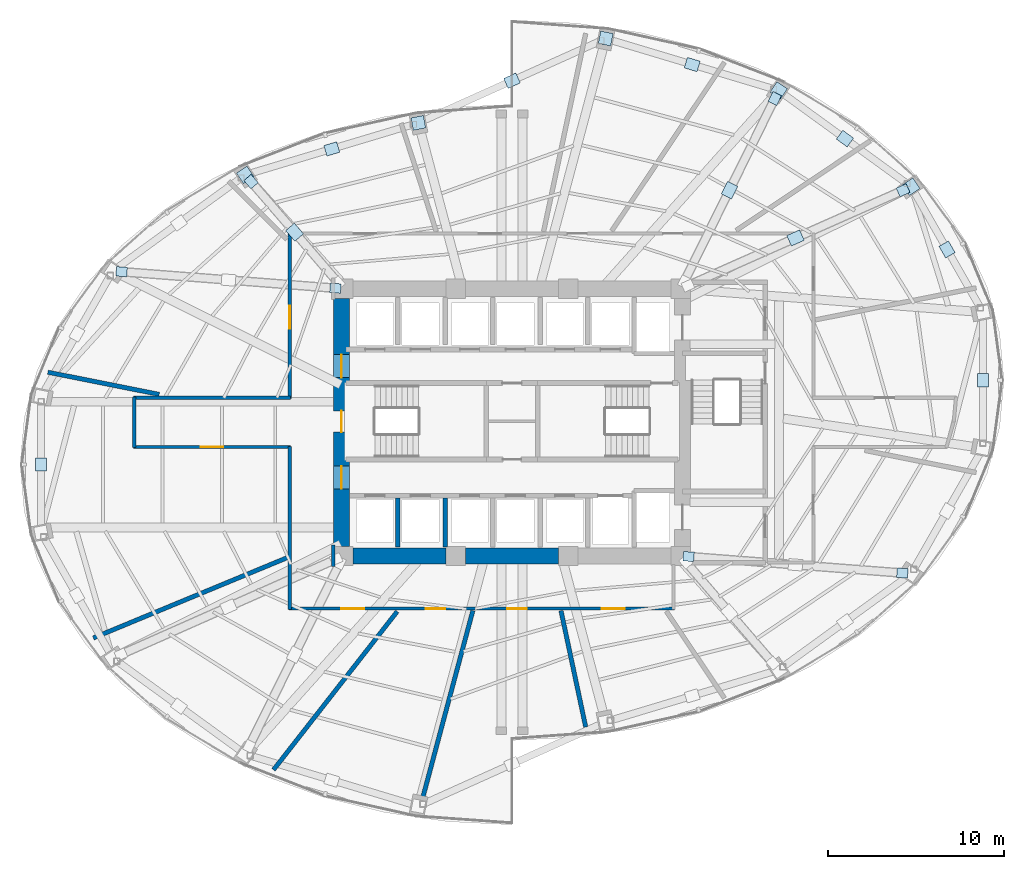
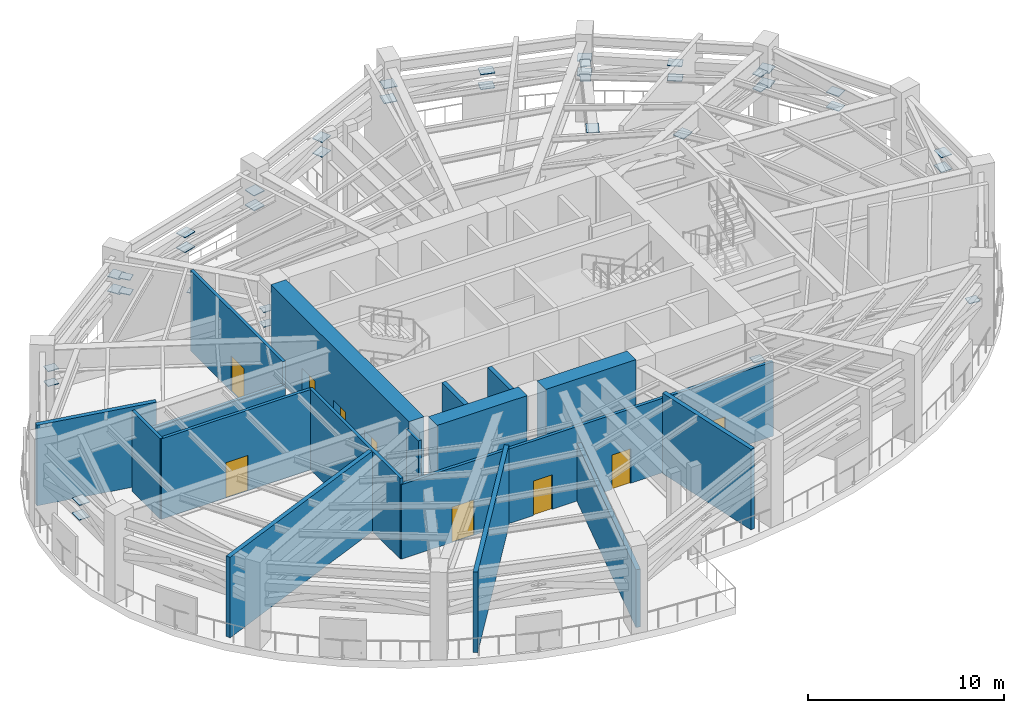
# One storey, part 8 of 14: 39 plates, 17 walls, 9 doors, 9 openings.
"""IFC4 building model written with IfcOpenShell, lengths in metres."""

from ifc_helpers import new_model, si_unit, direction, frame, frame_2d, origin, origin_2d, place, context, subcontext, project, spatial, rectangle, extrude, material, layer, layer_set, type_object, element, fill, save


model = new_model("IFC4")

# Units and contexts
model_context = context("Model", 3, precision=1e-05, world=origin(), true_north=direction((0.0, 1.0)))
body_context = subcontext(model_context, "Body", "Model", "MODEL_VIEW")
ifc_project = project(units=[si_unit("LENGTHUNIT", "METRE"), si_unit("AREAUNIT", "SQUARE_METRE"), si_unit("VOLUMEUNIT", "CUBIC_METRE"), si_unit("PLANEANGLEUNIT", "RADIAN"), si_unit("MASSUNIT", "GRAM", prefix="KILO")], contexts=[model_context])

# Site, building, storey
site_placement = place(None, origin())
site = spatial("IfcSite", under=ifc_project, at=site_placement, CompositionType="ELEMENT")
building_placement = place(site_placement, origin())
building = spatial("IfcBuilding", under=site, at=building_placement, Name="Lazwardi Medical Tower", CompositionType="ELEMENT")
storey_placement = place(building_placement, frame((0.0, 0.0, 76.27197265625)))
storey = spatial("IfcBuildingStorey", under=building, at=storey_placement, Name="L19", CompositionType="ELEMENT", Elevation=76.27197265625)

# Plates
ifc_material_1 = material(Name="Steel S460", Category="steel")
ifc_layer_1 = layer(ifc_material_1, 0.0400390625)
ifc_layer_set_1 = layer_set([ifc_layer_1], Name="Steel S460")
plate_type = type_object("IfcPlateType", Name="PLT-GUS-01", PredefinedType="USERDEFINED", material=ifc_layer_set_1)
for number, where, z_axis, x_axis, name in (
    (1, (62.800048828125, 30.39990234375, 3.580078125), (0.0, 0.0, 1.0), (0.0, 1.0, 0.0), "Belt truss gusset plate GP-01 T04 L19"),
    (2, (62.800048828125, 30.39990234375, 2.659912109375), (0.0, 0.0, 1.0), (0.0, 1.0, 0.0), "Belt truss gusset plate GP-01 B04 L19"),
    (3, (60.760009765625, 37.8408203125, 3.580078125), (0.0, 0.0, 1.0), (-0.495761847839, 0.86845851382, 0.0), "Belt truss gusset plate GP-01 T05 L19"),
    (4, (60.760009765625, 37.8408203125, 2.659912109375), (0.0, 0.0, 1.0), (-0.495761847839, 0.86845851382, 0.0), "Belt truss gusset plate GP-01 B05 L19"),
):
    element("IfcPlate", number, at=place(storey_placement, frame(where, z_axis=z_axis, x_axis=x_axis)), inside=storey, type_object=plate_type, Name=name, ObjectType="GUSSET_PLATE", PredefinedType="USERDEFINED", context=body_context, shape_type="SweptSolid", body=[
        extrude(rectangle(XDim=0.760009765625, YDim=0.6201171875, at=origin_2d()), origin(), (0.0, 0.0, 1.0), 0.0400390625),
    ])
for number, where, z_axis, x_axis, name in (
    (5, (58.719970703125, 41.414306640625, 2.659912109375), (0.0, 0.0, 1.0), (0.831469612303, 0.55557023302, 0.0), "Belt truss column gusset plate GP-01 MB06 L19"),
    (6, (58.719970703125, 41.414306640625, 3.580078125), (0.0, 0.0, 1.0), (0.831469612303, 0.55557023302, 0.0), "Belt truss column gusset plate GP-01 MT06 L19"),
):
    element("IfcPlate", number, at=place(storey_placement, frame(where, z_axis=z_axis, x_axis=x_axis)), inside=storey, type_object=plate_type, Name=name, ObjectType="GUSSET_PLATE", PredefinedType="USERDEFINED", context=body_context, shape_type="SweptSolid", body=[
        extrude(rectangle(XDim=0.719970703125, YDim=0.719970703125, at=origin_2d()), origin(), (0.0, 0.0, 1.0), 0.0400390625),
    ])
for number, where, z_axis, x_axis, name in (
    (7, (54.950439453125, 44.149169921875, 3.580078125), (0.0, 0.0, 1.0), (-0.809427148707, 0.587220308688, 0.0), "Belt truss gusset plate GP-01 T06 L19"),
    (8, (54.950439453125, 44.149169921875, 2.659912109375), (0.0, 0.0, 1.0), (-0.809427148707, 0.587220308688, 0.0), "Belt truss gusset plate GP-01 B06 L19"),
):
    element("IfcPlate", number, at=place(storey_placement, frame(where, z_axis=z_axis, x_axis=x_axis)), inside=storey, type_object=plate_type, Name=name, ObjectType="GUSSET_PLATE", PredefinedType="USERDEFINED", context=body_context, shape_type="SweptSolid", body=[
        extrude(rectangle(XDim=0.760009765625, YDim=0.6201171875, at=origin_2d()), origin(), (0.0, 0.0, 1.0), 0.0400390625),
    ])
for number, where, z_axis, x_axis, name in (
    (9, (51.180908203125, 46.8837890625, 2.659912109375), (0.0, 0.0, 1.0), (0.55557023302, 0.831469612303, 0.0), "Belt truss column gusset plate GP-01 MB07 L19"),
    (10, (51.180908203125, 46.8837890625, 3.580078125), (0.0, 0.0, 1.0), (0.55557023302, 0.831469612303, 0.0), "Belt truss column gusset plate GP-01 MT07 L19"),
):
    element("IfcPlate", number, at=place(storey_placement, frame(where, z_axis=z_axis, x_axis=x_axis)), inside=storey, type_object=plate_type, Name=name, ObjectType="GUSSET_PLATE", PredefinedType="USERDEFINED", context=body_context, shape_type="SweptSolid", body=[
        extrude(rectangle(XDim=0.719970703125, YDim=0.719970703125, at=origin_2d()), origin(), (0.0, 0.0, 1.0), 0.0400390625),
    ])
for number, where, z_axis, x_axis, name in (
    (11, (46.255859375, 48.364013671875, 3.580078125), (0.0, 0.0, 1.0), (-0.95767190194, 0.287861995122, 0.0), "Belt truss gusset plate GP-01 T07 L19"),
    (12, (46.255859375, 48.364013671875, 2.659912109375), (0.0, 0.0, 1.0), (-0.95767190194, 0.287861995122, 0.0), "Belt truss gusset plate GP-01 B07 L19"),
):
    element("IfcPlate", number, at=place(storey_placement, frame(where, z_axis=z_axis, x_axis=x_axis)), inside=storey, type_object=plate_type, Name=name, ObjectType="GUSSET_PLATE", PredefinedType="USERDEFINED", context=body_context, shape_type="SweptSolid", body=[
        extrude(rectangle(XDim=0.760009765625, YDim=0.6201171875, at=origin_2d()), origin(), (0.0, 0.0, 1.0), 0.0400390625),
    ])
for number, where, z_axis, x_axis, name in (
    (13, (41.330810546875, 49.843994140625, 2.659912109375), (0.0, 0.0, 1.0), (0.195090322016, 0.980785280403, 0.0), "Belt truss column gusset plate GP-01 MB08 L19"),
    (14, (41.330810546875, 49.843994140625, 3.580078125), (0.0, 0.0, 1.0), (0.195090322016, 0.980785280403, 0.0), "Belt truss column gusset plate GP-01 MT08 L19"),
):
    element("IfcPlate", number, at=place(storey_placement, frame(where, z_axis=z_axis, x_axis=x_axis)), inside=storey, type_object=plate_type, Name=name, ObjectType="GUSSET_PLATE", PredefinedType="USERDEFINED", context=body_context, shape_type="SweptSolid", body=[
        extrude(rectangle(XDim=0.719970703125, YDim=0.719970703125, at=origin_2d()), origin(), (0.0, 0.0, 1.0), 0.0400390625),
    ])
for number, where, z_axis, x_axis, name in (
    (15, (36.0, 47.444091796875, 3.580078125), (0.0, 0.0, 1.0), (-0.911833713653, -0.410559713862, 0.0), "Belt truss gusset plate GP-01 T08 L19"),
    (16, (36.0, 47.444091796875, 2.659912109375), (0.0, 0.0, 1.0), (-0.911833713653, -0.410559713862, 0.0), "Belt truss gusset plate GP-01 B08 L19"),
):
    element("IfcPlate", number, at=place(storey_placement, frame(where, z_axis=z_axis, x_axis=x_axis)), inside=storey, type_object=plate_type, Name=name, ObjectType="GUSSET_PLATE", PredefinedType="USERDEFINED", context=body_context, shape_type="SweptSolid", body=[
        extrude(rectangle(XDim=0.760009765625, YDim=0.6201171875, at=origin_2d()), origin(), (0.0, 0.0, 1.0), 0.0400390625),
    ])
for number, where, z_axis, x_axis, name in (
    (17, (30.669189453125, 45.044189453125, 2.659912109375), (0.0, 0.0, 1.0), (-0.195090322016, 0.980785280403, 0.0), "Belt truss column gusset plate GP-01 MB09 L19"),
    (18, (30.669189453125, 45.044189453125, 3.580078125), (0.0, 0.0, 1.0), (-0.195090322016, 0.980785280403, 0.0), "Belt truss column gusset plate GP-01 MT09 L19"),
):
    element("IfcPlate", number, at=place(storey_placement, frame(where, z_axis=z_axis, x_axis=x_axis)), inside=storey, type_object=plate_type, Name=name, ObjectType="GUSSET_PLATE", PredefinedType="USERDEFINED", context=body_context, shape_type="SweptSolid", body=[
        extrude(rectangle(XDim=0.719970703125, YDim=0.719970703125, at=origin_2d()), origin(), (0.0, 0.0, 1.0), 0.0400390625),
    ])
for number, where, z_axis, x_axis, name in (
    (19, (25.744140625, 43.56396484375, 3.580078125), (0.0, 0.0, 1.0), (-0.95767190194, -0.287861995122, 0.0), "Belt truss gusset plate GP-01 T09 L19"),
    (20, (25.744140625, 43.56396484375, 2.659912109375), (0.0, 0.0, 1.0), (-0.95767190194, -0.287861995122, 0.0), "Belt truss gusset plate GP-01 B09 L19"),
):
    element("IfcPlate", number, at=place(storey_placement, frame(where, z_axis=z_axis, x_axis=x_axis)), inside=storey, type_object=plate_type, Name=name, ObjectType="GUSSET_PLATE", PredefinedType="USERDEFINED", context=body_context, shape_type="SweptSolid", body=[
        extrude(rectangle(XDim=0.760009765625, YDim=0.6201171875, at=origin_2d()), origin(), (0.0, 0.0, 1.0), 0.0400390625),
    ])
for number, where, z_axis, x_axis, name in (
    (21, (20.819091796875, 42.083984375, 2.659912109375), (0.0, 0.0, 1.0), (-0.55557023302, 0.831469612303, 0.0), "Belt truss column gusset plate GP-01 MB10 L19"),
    (22, (20.819091796875, 42.083984375, 3.580078125), (0.0, 0.0, 1.0), (-0.55557023302, 0.831469612303, 0.0), "Belt truss column gusset plate GP-01 MT10 L19"),
):
    element("IfcPlate", number, at=place(storey_placement, frame(where, z_axis=z_axis, x_axis=x_axis)), inside=storey, type_object=plate_type, Name=name, ObjectType="GUSSET_PLATE", PredefinedType="USERDEFINED", context=body_context, shape_type="SweptSolid", body=[
        extrude(rectangle(XDim=0.719970703125, YDim=0.719970703125, at=origin_2d()), origin(), (0.0, 0.0, 1.0), 0.0400390625),
    ])
for number, where, z_axis, x_axis, name in (
    (23, (9.199951171875, 25.60009765625, 3.580078125), (0.0, 0.0, 1.0), (0.0, -1.0, 0.0), "Belt truss gusset plate GP-01 T12 L19"),
    (24, (9.199951171875, 25.60009765625, 2.659912109375), (0.0, 0.0, 1.0), (0.0, -1.0, 0.0), "Belt truss gusset plate GP-01 B12 L19"),
):
    element("IfcPlate", number, at=place(storey_placement, frame(where, z_axis=z_axis, x_axis=x_axis)), inside=storey, type_object=plate_type, Name=name, ObjectType="GUSSET_PLATE", PredefinedType="USERDEFINED", context=body_context, shape_type="SweptSolid", body=[
        extrude(rectangle(XDim=0.760009765625, YDim=0.6201171875, at=origin_2d()), origin(), (0.0, 0.0, 1.0), 0.0400390625),
    ])
for number, where, z_axis, x_axis, name in (
    (25, (46.048583984375, 20.365234375, 2.659912109375), (0.0, 0.0, 1.0), (0.997025911491, -0.077067060513, 0.0), "Outrigger core gusset plate GP-01 OR4CB L19"),
    (26, (58.21630859375, 19.4248046875, 2.659912109375), (0.0, 0.0, 1.0), (0.997025911491, -0.077067060513, 0.0), "Outrigger perimeter gusset plate GP-01 OR4MB L19"),
):
    element("IfcPlate", number, at=place(storey_placement, frame(where, z_axis=z_axis, x_axis=x_axis)), inside=storey, type_object=plate_type, Name=name, ObjectType="GUSSET_PLATE", PredefinedType="USERDEFINED", context=body_context, shape_type="SweptSolid", body=[
        extrude(rectangle(XDim=0.6201171875, YDim=0.5400390625, at=origin_2d()), origin(), (0.0, 0.0, 1.0), 0.0400390625),
    ])
plate_1_placement = place(storey_placement, frame((52.134765625, 38.49609375, 3.580078125), z_axis=(0.0, 0.0, 1.0), x_axis=(0.914253955234, 0.40514158678, 0.0)))
element("IfcPlate", 27, at=plate_1_placement, inside=storey, type_object=plate_type, Name="Outrigger truss gusset plate GP-01 OR5 L19", ObjectType="GUSSET_PLATE", PredefinedType="USERDEFINED", context=body_context, shape_type="SweptSolid", body=[
    extrude(rectangle(XDim=0.800048828125, YDim=0.64990234375, at=origin_2d()), origin(), (0.0, 0.0, 1.0), 0.0400390625),
])
for number, where, z_axis, x_axis, name in (
    (28, (58.25830078125, 41.209716796875, 2.659912109375), (0.0, 0.0, 1.0), (0.914253955234, 0.40514158678, 0.0), "Outrigger perimeter gusset plate GP-01 OR5MB L19"),
    (29, (58.25830078125, 41.209716796875, 3.580078125), (0.0, 0.0, 1.0), (0.914253955234, 0.40514158678, 0.0), "Outrigger perimeter gusset plate GP-01 OR5MT L19"),
):
    element("IfcPlate", number, at=place(storey_placement, frame(where, z_axis=z_axis, x_axis=x_axis)), inside=storey, type_object=plate_type, Name=name, ObjectType="GUSSET_PLATE", PredefinedType="USERDEFINED", context=body_context, shape_type="SweptSolid", body=[
        extrude(rectangle(XDim=0.6201171875, YDim=0.5400390625, at=origin_2d()), origin(), (0.0, 0.0, 1.0), 0.0400390625),
    ])
plate_2_placement = place(storey_placement, frame((48.37841796875, 41.21728515625, 3.580078125), z_axis=(0.0, 0.0, 1.0), x_axis=(0.443384096623, 0.896331714747, 0.0)))
element("IfcPlate", 30, at=plate_2_placement, inside=storey, type_object=plate_type, Name="Outrigger truss gusset plate GP-01 OR6 L19", ObjectType="GUSSET_PLATE", PredefinedType="USERDEFINED", context=body_context, shape_type="SweptSolid", body=[
    extrude(rectangle(XDim=0.800048828125, YDim=0.64990234375, at=origin_2d()), origin(), (0.0, 0.0, 1.0), 0.0400390625),
])
for number, where, z_axis, x_axis, name in (
    (31, (50.95703125, 46.43115234375, 2.659912109375), (0.0, 0.0, 1.0), (0.443384096623, 0.896331714747, 0.0), "Outrigger perimeter gusset plate GP-01 OR6MB L19"),
    (32, (50.95703125, 46.43115234375, 3.580078125), (0.0, 0.0, 1.0), (0.443384096623, 0.896331714747, 0.0), "Outrigger perimeter gusset plate GP-01 OR6MT L19"),
):
    element("IfcPlate", number, at=place(storey_placement, frame(where, z_axis=z_axis, x_axis=x_axis)), inside=storey, type_object=plate_type, Name=name, ObjectType="GUSSET_PLATE", PredefinedType="USERDEFINED", context=body_context, shape_type="SweptSolid", body=[
        extrude(rectangle(XDim=0.6201171875, YDim=0.5400390625, at=origin_2d()), origin(), (0.0, 0.0, 1.0), 0.0400390625),
    ])
plate_3_placement = place(storey_placement, frame((23.62744140625, 38.8212890625, 3.580078125), z_axis=(0.0, 0.0, 1.0), x_axis=(-0.652363002904, 0.75790666473, 0.0)))
element("IfcPlate", 33, at=plate_3_placement, inside=storey, type_object=plate_type, Name="Outrigger truss gusset plate GP-01 OR7 L19", ObjectType="GUSSET_PLATE", PredefinedType="USERDEFINED", context=body_context, shape_type="SweptSolid", body=[
    extrude(rectangle(XDim=0.800048828125, YDim=0.64990234375, at=origin_2d()), origin(), (0.0, 0.0, 1.0), 0.0400390625),
])
for number, where, z_axis, x_axis, name in (
    (34, (21.1484375, 41.701171875, 2.659912109375), (0.0, 0.0, 1.0), (-0.652363002904, 0.75790666473, 0.0), "Outrigger perimeter gusset plate GP-01 OR7MB L19"),
    (35, (21.1484375, 41.701171875, 3.580078125), (0.0, 0.0, 1.0), (-0.652363002904, 0.75790666473, 0.0), "Outrigger perimeter gusset plate GP-01 OR7MT L19"),
    (36, (25.951416015625, 35.634765625, 2.659912109375), (0.0, 0.0, 1.0), (-0.997025911491, 0.077067060513, 0.0), "Outrigger core gusset plate GP-01 OR8CB L19"),
    (37, (25.951416015625, 35.634765625, 3.580078125), (0.0, 0.0, 1.0), (-0.997025911491, 0.077067060513, 0.0), "Outrigger core gusset plate GP-01 OR8CT L19"),
    (38, (13.78369140625, 36.5751953125, 2.659912109375), (0.0, 0.0, 1.0), (-0.997025911491, 0.077067060513, 0.0), "Outrigger perimeter gusset plate GP-01 OR8MB L19"),
    (39, (13.78369140625, 36.5751953125, 3.580078125), (0.0, 0.0, 1.0), (-0.997025911491, 0.077067060513, 0.0), "Outrigger perimeter gusset plate GP-01 OR8MT L19"),
):
    element("IfcPlate", number, at=place(storey_placement, frame(where, z_axis=z_axis, x_axis=x_axis)), inside=storey, type_object=plate_type, Name=name, ObjectType="GUSSET_PLATE", PredefinedType="USERDEFINED", context=body_context, shape_type="SweptSolid", body=[
        extrude(rectangle(XDim=0.6201171875, YDim=0.5400390625, at=origin_2d()), origin(), (0.0, 0.0, 1.0), 0.0400390625),
    ])

# Walls
ifc_material_2 = material(Name="Fire-rated gypsum board on steel stud", Category="steel")
ifc_layer_2 = layer(ifc_material_2, 0.179931640625)
ifc_layer_set_2 = layer_set([ifc_layer_2], Name="Fire-rated gypsum board on steel stud")
wall_type_1 = type_object("IfcWallType", Name="WL-COR-180", PredefinedType="PARTITIONING", material=ifc_layer_set_2)
wall_1_placement = place(storey_placement, frame((14.5, 26.56005859375, 0.0), z_axis=(0.0, 0.0, 1.0), x_axis=(0.0, 1.0, 0.0)))
element("IfcWall", 40, at=wall_1_placement, inside=storey, type_object=wall_type_1, Name="L19 Corridor partition 1", PredefinedType="PARTITIONING", context=body_context, shape_type="SweptSolid", body=[
    extrude(rectangle(XDim=2.8798828125, YDim=0.179931640625, at=frame_2d((1.43994140625, 0.0))), origin(), (0.0, 0.0, 1.0), 5.02197265625),
])
wall_2_placement = place(storey_placement, frame((14.4599609375, 29.39990234375, 0.0), z_axis=(0.0, 0.0, 1.0), x_axis=(1.0, 0.0, 0.0)))
element("IfcWall", 41, at=wall_2_placement, inside=storey, type_object=wall_type_1, Name="L19 Corridor partition 2", PredefinedType="PARTITIONING", context=body_context, shape_type="SweptSolid", body=[
    extrude(rectangle(XDim=8.929931640625, YDim=0.179931640625, at=frame_2d((4.46484375, 0.0))), origin(), (0.0, 0.0, 1.0), 3.60693359375),
])

# Wall, opening, door
wall_3_placement = place(storey_placement, frame((23.35009765625, 29.360107421875, 0.0), z_axis=(0.0, 0.0, 1.0), x_axis=(0.0, 1.0, 0.0)))
wall_3 = element("IfcWall", 42, at=wall_3_placement, inside=storey, type_object=wall_type_1, Name="L19 Corridor partition 3", PredefinedType="PARTITIONING", context=body_context, shape_type="SweptSolid", body=[
    extrude(rectangle(XDim=9.429931640625, YDim=0.179931640625, at=frame_2d((4.71484375, 0.0))), origin(), (0.0, 0.0, 1.0), 5.02197265625),
])
opening_1_placement = place(wall_3_placement, frame((3.967529296875, 0.0, 0.0)))
opening_1 = element("IfcOpeningElement", 43, at=opening_1_placement, cuts=wall_3, Name="Opening D-L19-019", PredefinedType="OPENING", context=body_context, shape_type="SweptSolid", body=[
    extrude(rectangle(XDim=1.300048828125, YDim=2.199951171875, at=frame_2d((0.64990234375, 1.10009765625))), frame((0.0, 0.099853515625, 0.0), z_axis=(0.0, -1.0, 0.0), x_axis=(1.0, 0.0, 0.0)), (0.0, 0.0, 1.0), 0.199951171875),
])
ifc_material_3 = material(Name="Fire-rated steel leaf and frame", Category="steel")
door_type_1 = type_object("IfcDoorType", Name="DR-FFL-1300", OperationType="NOTDEFINED", PredefinedType="DOOR", material=ifc_material_3)
door_1_placement = place(opening_1_placement, origin())
door_1 = element("IfcDoor", 44, at=door_1_placement, inside=storey, type_object=door_type_1, Name="L19 Area of Refuge Door 13", OperationType="SINGLE_SWING_RIGHT", OverallHeight=2.199951171875, OverallWidth=1.300048828125, PredefinedType="DOOR", context=body_context, shape_type="SweptSolid", body=[
    extrude(rectangle(XDim=1.300048828125, YDim=2.199951171875, at=frame_2d((0.64990234375, 1.10009765625))), frame((0.0, 0.02490234375, 0.0), z_axis=(0.0, -1.0, 0.0), x_axis=(1.0, 0.0, 0.0)), (0.0, 0.0, 1.0), 0.050048828125),
])
fill(opening_1, door_1)

# Wall
wall_4_placement = place(storey_placement, frame((25.830078125, 21.010009765625, 0.0), z_axis=(0.0, 0.0, 1.0), x_axis=(0.0, -1.0, 0.0)))
element("IfcWall", 45, at=wall_4_placement, inside=storey, type_object=wall_type_1, Name="L19 Corridor partition 13", PredefinedType="PARTITIONING", context=body_context, shape_type="SweptSolid", body=[
    extrude(rectangle(XDim=1.219970703125, YDim=0.179931640625, at=frame_2d((0.60986328125, 0.0))), origin(), (0.0, 0.0, 1.0), 5.02197265625),
])

# Wall, openings, doors
wall_5_placement = place(storey_placement, frame((45.239990234375, 17.39990234375, 0.0), z_axis=(0.0, 0.0, 1.0), x_axis=(-1.0, 0.0, 0.0)))
wall_5 = element("IfcWall", 46, at=wall_5_placement, inside=storey, type_object=wall_type_1, Name="L19 Corridor partition 15", PredefinedType="PARTITIONING", context=body_context, shape_type="SweptSolid", body=[
    extrude(rectangle(XDim=21.929931640625, YDim=0.179931640625, at=frame_2d((10.96484375, 0.0))), origin(), (0.0, 0.0, 1.0), 4.64697265625),
])
opening_2_placement = place(wall_5_placement, frame((17.659423828125, 0.0, 0.0)))
opening_2 = element("IfcOpeningElement", 47, at=opening_2_placement, cuts=wall_5, Name="Opening D-L19-008", PredefinedType="OPENING", context=body_context, shape_type="SweptSolid", body=[
    extrude(rectangle(XDim=1.300048828125, YDim=2.199951171875, at=frame_2d((0.64990234375, 1.10009765625))), frame((0.0, 0.099853515625, 0.0), z_axis=(0.0, -1.0, 0.0), x_axis=(1.0, 0.0, 0.0)), (0.0, 0.0, 1.0), 0.199951171875),
])
opening_3_placement = place(wall_5_placement, frame((13.034912109375, 0.0, 0.0)))
opening_3 = element("IfcOpeningElement", 48, at=opening_3_placement, cuts=wall_5, Name="Opening D-L19-009", PredefinedType="OPENING", context=body_context, shape_type="SweptSolid", body=[
    extrude(rectangle(XDim=1.10009765625, YDim=2.14990234375, at=frame_2d((0.550048828125, 1.074951171875))), frame((0.0, 0.099853515625, 0.0), z_axis=(0.0, -1.0, 0.0), x_axis=(1.0, 0.0, 0.0)), (0.0, 0.0, 1.0), 0.199951171875),
])
opening_4_placement = place(wall_5_placement, frame((8.40869140625, 0.0, 0.0)))
opening_4 = element("IfcOpeningElement", 49, at=opening_4_placement, cuts=wall_5, Name="Opening D-L19-010", PredefinedType="OPENING", context=body_context, shape_type="SweptSolid", body=[
    extrude(rectangle(XDim=1.10009765625, YDim=2.14990234375, at=frame_2d((0.550048828125, 1.074951171875))), frame((0.0, 0.099853515625, 0.0), z_axis=(0.0, -1.0, 0.0), x_axis=(1.0, 0.0, 0.0)), (0.0, 0.0, 1.0), 0.199951171875),
])
opening_5_placement = place(wall_5_placement, frame((2.83056640625, 0.0, 0.0)))
opening_5 = element("IfcOpeningElement", 50, at=opening_5_placement, cuts=wall_5, Name="Opening D-L19-011", PredefinedType="OPENING", context=body_context, shape_type="SweptSolid", body=[
    extrude(rectangle(XDim=1.300048828125, YDim=2.199951171875, at=frame_2d((0.64990234375, 1.10009765625))), frame((0.0, 0.099853515625, 0.0), z_axis=(0.0, -1.0, 0.0), x_axis=(1.0, 0.0, 0.0)), (0.0, 0.0, 1.0), 0.199951171875),
])
door_2_placement = place(opening_2_placement, origin())
door_2 = element("IfcDoor", 51, at=door_2_placement, inside=storey, type_object=door_type_1, Name="L19 Area of Refuge Door 02", OperationType="SINGLE_SWING_LEFT", OverallHeight=2.199951171875, OverallWidth=1.300048828125, PredefinedType="DOOR", context=body_context, shape_type="SweptSolid", body=[
    extrude(rectangle(XDim=1.300048828125, YDim=2.199951171875, at=frame_2d((0.64990234375, 1.10009765625))), frame((0.0, 0.02490234375, 0.0), z_axis=(0.0, -1.0, 0.0), x_axis=(1.0, 0.0, 0.0)), (0.0, 0.0, 1.0), 0.050048828125),
])
fill(opening_2, door_2)
door_3_placement = place(opening_5_placement, origin())
door_3 = element("IfcDoor", 52, at=door_3_placement, inside=storey, type_object=door_type_1, Name="L19 Area of Refuge Door 05", OperationType="SINGLE_SWING_RIGHT", OverallHeight=2.199951171875, OverallWidth=1.300048828125, PredefinedType="DOOR", context=body_context, shape_type="SweptSolid", body=[
    extrude(rectangle(XDim=1.300048828125, YDim=2.199951171875, at=frame_2d((0.64990234375, 1.10009765625))), frame((0.0, 0.02490234375, 0.0), z_axis=(0.0, -1.0, 0.0), x_axis=(1.0, 0.0, 0.0)), (0.0, 0.0, 1.0), 0.050048828125),
])
fill(opening_5, door_3)
door_type_2 = type_object("IfcDoorType", Name="DR-PLT-1100", OperationType="NOTDEFINED", PredefinedType="DOOR", material=ifc_material_3)
door_4_placement = place(opening_3_placement, origin())
door_4 = element("IfcDoor", 53, at=door_4_placement, inside=storey, type_object=door_type_2, Name="L19 Chiller Plant Room Door 03", OperationType="SINGLE_SWING_RIGHT", OverallHeight=2.14990234375, OverallWidth=1.10009765625, PredefinedType="DOOR", context=body_context, shape_type="SweptSolid", body=[
    extrude(rectangle(XDim=1.10009765625, YDim=2.14990234375, at=frame_2d((0.550048828125, 1.074951171875))), frame((0.0, 0.02490234375, 0.0), z_axis=(0.0, -1.0, 0.0), x_axis=(1.0, 0.0, 0.0)), (0.0, 0.0, 1.0), 0.050048828125),
])
fill(opening_3, door_4)
door_5_placement = place(opening_4_placement, origin())
door_5 = element("IfcDoor", 54, at=door_5_placement, inside=storey, type_object=door_type_2, Name="L19 AHU Plant Room Door 04", OperationType="SINGLE_SWING_LEFT", OverallHeight=2.14990234375, OverallWidth=1.10009765625, PredefinedType="DOOR", context=body_context, shape_type="SweptSolid", body=[
    extrude(rectangle(XDim=1.10009765625, YDim=2.14990234375, at=frame_2d((0.550048828125, 1.074951171875))), frame((0.0, 0.02490234375, 0.0), z_axis=(0.0, -1.0, 0.0), x_axis=(1.0, 0.0, 0.0)), (0.0, 0.0, 1.0), 0.050048828125),
])
fill(opening_4, door_5)

# Wall
wall_6_placement = place(storey_placement, frame((23.35009765625, 17.360107421875, 0.0), z_axis=(0.0, 0.0, 1.0), x_axis=(0.0, 1.0, 0.0)))
element("IfcWall", 55, at=wall_6_placement, inside=storey, type_object=wall_type_1, Name="L19 Corridor partition 16", PredefinedType="PARTITIONING", context=body_context, shape_type="SweptSolid", body=[
    extrude(rectangle(XDim=9.27978515625, YDim=0.179931640625, at=frame_2d((4.639892578125, 0.0))), origin(), (0.0, 0.0, 1.0), 5.02197265625),
])

# Wall, opening, door
wall_7_placement = place(storey_placement, frame((23.389892578125, 26.60009765625, 0.0), z_axis=(0.0, 0.0, 1.0), x_axis=(-1.0, 0.0, 0.0)))
wall_7 = element("IfcWall", 56, at=wall_7_placement, inside=storey, type_object=wall_type_1, Name="L19 Corridor partition 17", PredefinedType="PARTITIONING", context=body_context, shape_type="SweptSolid", body=[
    extrude(rectangle(XDim=8.929931640625, YDim=0.179931640625, at=frame_2d((4.46484375, 0.0))), origin(), (0.0, 0.0, 1.0), 5.02197265625),
])
opening_6_placement = place(wall_7_placement, frame((3.81494140625, 0.0, 0.0)))
opening_6 = element("IfcOpeningElement", 57, at=opening_6_placement, cuts=wall_7, Name="Opening D-L19-007", PredefinedType="OPENING", context=body_context, shape_type="SweptSolid", body=[
    extrude(rectangle(XDim=1.300048828125, YDim=2.199951171875, at=frame_2d((0.64990234375, 1.10009765625))), frame((0.0, 0.099853515625, 0.0), z_axis=(0.0, -1.0, 0.0), x_axis=(1.0, 0.0, 0.0)), (0.0, 0.0, 1.0), 0.199951171875),
])
door_6_placement = place(opening_6_placement, origin())
door_6 = element("IfcDoor", 58, at=door_6_placement, inside=storey, type_object=door_type_1, Name="L19 Area of Refuge Door 01", OperationType="SINGLE_SWING_RIGHT", OverallHeight=2.199951171875, OverallWidth=1.300048828125, PredefinedType="DOOR", context=body_context, shape_type="SweptSolid", body=[
    extrude(rectangle(XDim=1.300048828125, YDim=2.199951171875, at=frame_2d((0.64990234375, 1.10009765625))), frame((0.0, 0.02490234375, 0.0), z_axis=(0.0, -1.0, 0.0), x_axis=(1.0, 0.0, 0.0)), (0.0, 0.0, 1.0), 0.050048828125),
])
fill(opening_6, door_6)

# Wall, openings, doors
ifc_material_4 = material(Name="Concrete C80/95", Category="concrete")
ifc_layer_3 = layer(ifc_material_4, 0.89990234375)
ifc_layer_set_3 = layer_set([ifc_layer_3], Name="Concrete C80/95")
wall_type_2 = type_object("IfcWallType", Name="WL-CORE-900", PredefinedType="SHEAR", material=ifc_layer_set_3)
wall_8_placement = place(storey_placement, frame((26.300048828125, 20.949951171875, 0.0), z_axis=(0.0, 0.0, 1.0), x_axis=(0.0, 1.0, 0.0)))
wall_8 = element("IfcWall", 59, at=wall_8_placement, inside=storey, type_object=wall_type_2, Name="Core wall CW-S1 west L19", PredefinedType="SHEAR", context=body_context, shape_type="SweptSolid", body=[
    extrude(rectangle(XDim=14.10009765625, YDim=0.89990234375, at=frame_2d((7.050048828125, 0.0))), origin(), (0.0, 0.0, 1.0), 5.471923828125),
])
opening_7_placement = place(wall_8_placement, frame((6.5, 0.0, 0.0)))
opening_7 = element("IfcOpeningElement", 60, at=opening_7_placement, cuts=wall_8, Name="Opening D-L19-020", PredefinedType="OPENING", context=body_context, shape_type="SweptSolid", body=[
    extrude(rectangle(XDim=1.199951171875, YDim=2.14990234375, at=frame_2d((0.60009765625, 1.074951171875))), frame((0.0, 0.4599609375, 0.0), z_axis=(0.0, -1.0, 0.0), x_axis=(1.0, 0.0, 0.0)), (0.0, 0.0, 1.0), 0.919921875),
])
opening_8_placement = place(wall_8_placement, frame((9.60009765625, 0.0, 0.0)))
opening_8 = element("IfcOpeningElement", 61, at=opening_8_placement, cuts=wall_8, Name="Opening D-L19-005", PredefinedType="OPENING", context=body_context, shape_type="SweptSolid", body=[
    extrude(rectangle(XDim=1.300048828125, YDim=2.199951171875, at=frame_2d((0.64990234375, 1.10009765625))), frame((0.0, 0.4599609375, 0.0), z_axis=(0.0, -1.0, 0.0), x_axis=(1.0, 0.0, 0.0)), (0.0, 0.0, 1.0), 0.919921875),
])
opening_9_placement = place(wall_8_placement, frame((3.260009765625, 0.0, 0.0)))
opening_9 = element("IfcOpeningElement", 62, at=opening_9_placement, cuts=wall_8, Name="Opening D-L19-006", PredefinedType="OPENING", context=body_context, shape_type="SweptSolid", body=[
    extrude(rectangle(XDim=1.300048828125, YDim=2.199951171875, at=frame_2d((0.64990234375, 1.10009765625))), frame((0.0, 0.4599609375, 0.0), z_axis=(0.0, -1.0, 0.0), x_axis=(1.0, 0.0, 0.0)), (0.0, 0.0, 1.0), 0.919921875),
])
door_7_placement = place(opening_8_placement, origin())
door_7 = element("IfcDoor", 63, at=door_7_placement, inside=storey, type_object=door_type_1, Name="L19 North Lift Lobby Door", OperationType="SINGLE_SWING_LEFT", OverallHeight=2.199951171875, OverallWidth=1.300048828125, PredefinedType="DOOR", context=body_context, shape_type="SweptSolid", body=[
    extrude(rectangle(XDim=1.300048828125, YDim=2.199951171875, at=frame_2d((0.64990234375, 1.10009765625))), frame((0.0, 0.02490234375, 0.0), z_axis=(0.0, -1.0, 0.0), x_axis=(1.0, 0.0, 0.0)), (0.0, 0.0, 1.0), 0.050048828125),
])
fill(opening_8, door_7)
door_8_placement = place(opening_9_placement, origin())
door_8 = element("IfcDoor", 64, at=door_8_placement, inside=storey, type_object=door_type_1, Name="L19 South Lift Lobby Door", OperationType="SINGLE_SWING_RIGHT", OverallHeight=2.199951171875, OverallWidth=1.300048828125, PredefinedType="DOOR", context=body_context, shape_type="SweptSolid", body=[
    extrude(rectangle(XDim=1.300048828125, YDim=2.199951171875, at=frame_2d((0.64990234375, 1.10009765625))), frame((0.0, 0.02490234375, 0.0), z_axis=(0.0, -1.0, 0.0), x_axis=(1.0, 0.0, 0.0)), (0.0, 0.0, 1.0), 0.050048828125),
])
fill(opening_9, door_8)
door_type_3 = type_object("IfcDoorType", Name="DR-STR-1200", OperationType="NOTDEFINED", PredefinedType="DOOR", material=ifc_material_3)
door_9_placement = place(opening_7_placement, origin())
door_9 = element("IfcDoor", 65, at=door_9_placement, inside=storey, type_object=door_type_3, Name="L19 Exit Stair ST1 Door", OperationType="SINGLE_SWING_LEFT", OverallHeight=2.14990234375, OverallWidth=1.199951171875, PredefinedType="DOOR", context=body_context, shape_type="SweptSolid", body=[
    extrude(rectangle(XDim=1.199951171875, YDim=2.14990234375, at=frame_2d((0.60009765625, 1.074951171875))), frame((0.0, 0.02490234375, 0.0), z_axis=(0.0, -1.0, 0.0), x_axis=(1.0, 0.0, 0.0)), (0.0, 0.0, 1.0), 0.050048828125),
])
fill(opening_7, door_9)

# Walls
wall_9_placement = place(storey_placement, frame((26.949951171875, 20.39990234375, 0.0), z_axis=(0.0, 0.0, 1.0), x_axis=(1.0, 0.0, 0.0)))
element("IfcWall", 66, at=wall_9_placement, inside=storey, type_object=wall_type_2, Name="Core wall CW-S1 S1 L19", PredefinedType="SHEAR", context=body_context, shape_type="SweptSolid", body=[
    extrude(rectangle(XDim=5.300048828125, YDim=0.89990234375, at=frame_2d((2.64990234375, 0.0))), origin(), (0.0, 0.0, 1.0), 5.471923828125),
])
wall_10_placement = place(storey_placement, frame((33.35009765625, 20.39990234375, 0.0), z_axis=(0.0, 0.0, 1.0), x_axis=(1.0, 0.0, 0.0)))
element("IfcWall", 67, at=wall_10_placement, inside=storey, type_object=wall_type_2, Name="Core wall CW-S1 S2 L19", PredefinedType="SHEAR", context=body_context, shape_type="SweptSolid", body=[
    extrude(rectangle(XDim=5.2998046875, YDim=0.89990234375, at=frame_2d((2.64990234375, 0.0))), origin(), (0.0, 0.0, 1.0), 5.471923828125),
])
ifc_material_5 = material(Name="Autoclaved aerated concrete blockwork", Category="masonry")
ifc_layer_4 = layer(ifc_material_5, 0.25)
ifc_layer_set_4 = layer_set([ifc_layer_4], Name="Autoclaved aerated concrete blockwork")
wall_type_3 = type_object("IfcWallType", Name="WL-SHAFT-250", PredefinedType="SOLIDWALL", material=ifc_layer_set_4)
for number, where, z_axis, x_axis, name in (
    (68, (29.5, 20.89990234375, 0.0), (0.0, 0.0, 1.0), (0.0, 1.0, 0.0), "L19 South hoistway divider"),
    (69, (32.199951171875, 20.89990234375, 0.0), (0.0, 0.0, 1.0), (0.0, 1.0, 0.0), "L19 South hoistway divider"),
):
    element("IfcWall", number, at=place(storey_placement, frame(where, z_axis=z_axis, x_axis=x_axis)), inside=storey, type_object=wall_type_3, Name=name, PredefinedType="SOLIDWALL", context=body_context, shape_type="SweptSolid", body=[
        extrude(rectangle(XDim=2.800048828125, YDim=0.25, at=frame_2d((1.39990234375, 0.0))), origin(), (0.0, 0.0, 1.0), 5.02197265625),
    ])
wall_11_placement = place(storey_placement, frame((38.787353515625, 17.286376953125, 0.0), z_axis=(0.0, 0.0, 1.0), x_axis=(0.207927773238, -0.978144182172, 0.0)))
element("IfcWall", 70, at=wall_11_placement, inside=storey, type_object=wall_type_3, Name="L19 Room partition 1", PredefinedType="SOLIDWALL", context=body_context, shape_type="SweptSolid", body=[
    extrude(rectangle(XDim=6.76904296875, YDim=0.25, at=frame_2d((3.384521484375, 0.0))), origin(), (0.0, 0.0, 1.0), 5.02197265625),
])
wall_12_placement = place(storey_placement, frame((15.923095703125, 29.593505859375, 0.0), z_axis=(0.0, 0.0, 1.0), x_axis=(-0.980786497314, 0.195084204093, 0.0)))
element("IfcWall", 71, at=wall_12_placement, inside=storey, type_object=wall_type_3, Name="L19 Room partition 10", PredefinedType="SOLIDWALL", context=body_context, shape_type="SweptSolid", body=[
    extrude(rectangle(XDim=6.461181640625, YDim=0.25, at=frame_2d((3.23046875, 0.0))), origin(), (0.0, 0.0, 1.0), 5.02197265625),
])
wall_13_placement = place(storey_placement, frame((23.216552734375, 20.304931640625, 0.0), z_axis=(0.0, 0.0, 1.0), x_axis=(-0.923880113583, -0.382682029531, 0.0)))
element("IfcWall", 72, at=wall_13_placement, inside=storey, type_object=wall_type_3, Name="L19 Room partition 11", PredefinedType="SOLIDWALL", context=body_context, shape_type="SweptSolid", body=[
    extrude(rectangle(XDim=11.948486328125, YDim=0.25, at=frame_2d((5.97412109375, 0.0))), origin(), (0.0, 0.0, 1.0), 5.02197265625),
])
wall_14_placement = place(storey_placement, frame((29.46728515625, 17.238525390625, 0.0), z_axis=(0.0, 0.0, 1.0), x_axis=(-0.615655228447, -0.788015634164, 0.0)))
element("IfcWall", 73, at=wall_14_placement, inside=storey, type_object=wall_type_3, Name="L19 Room partition 12", PredefinedType="SOLIDWALL", context=body_context, shape_type="SweptSolid", body=[
    extrude(rectangle(XDim=11.43505859375, YDim=0.25, at=frame_2d((5.717529296875, 0.0))), origin(), (0.0, 0.0, 1.0), 5.02197265625),
])
wall_15_placement = place(storey_placement, frame((33.772705078125, 17.287109375, 0.0), z_axis=(0.0, 0.0, 1.0), x_axis=(-0.258838592599, -0.965920588341, 0.0)))
element("IfcWall", 74, at=wall_15_placement, inside=storey, type_object=wall_type_3, Name="L19 Room partition 13", PredefinedType="SOLIDWALL", context=body_context, shape_type="SweptSolid", body=[
    extrude(rectangle(XDim=11.666748046875, YDim=0.25, at=frame_2d((5.83349609375, 0.0))), origin(), (0.0, 0.0, 1.0), 3.60693359375),
])

save(model, "model.ifc")
